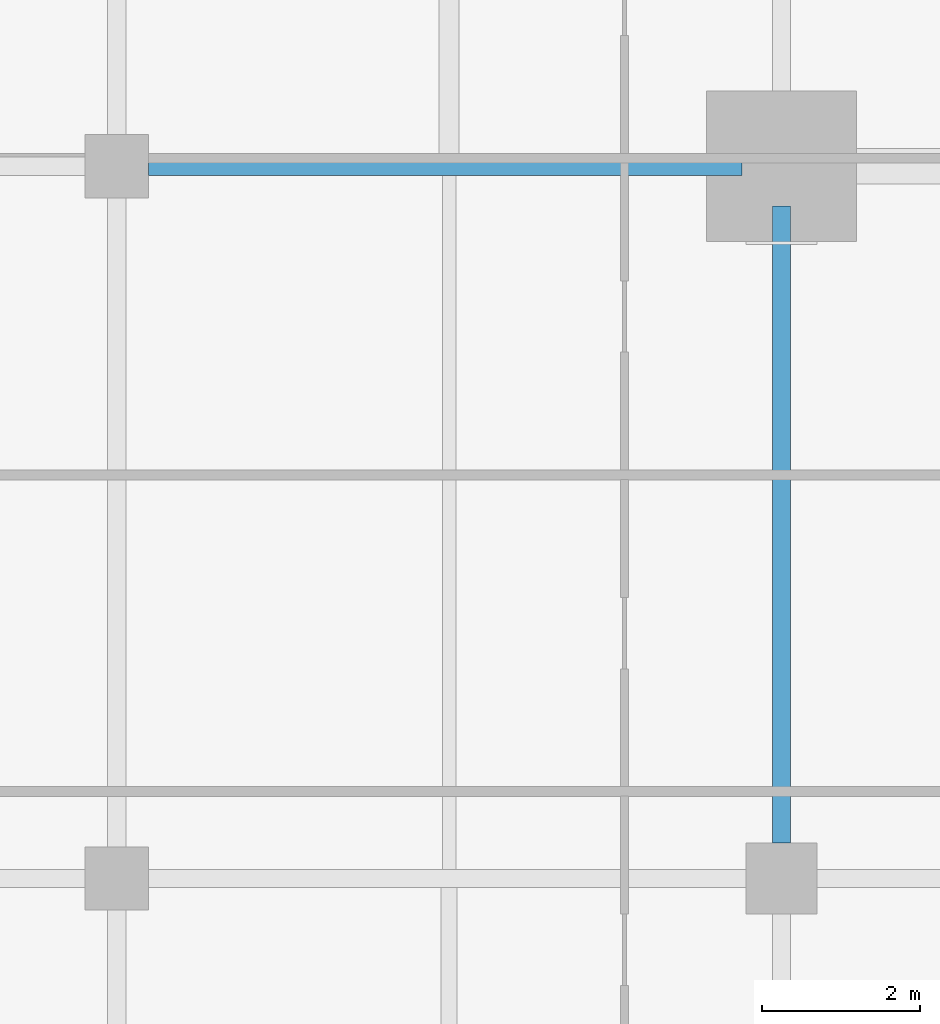
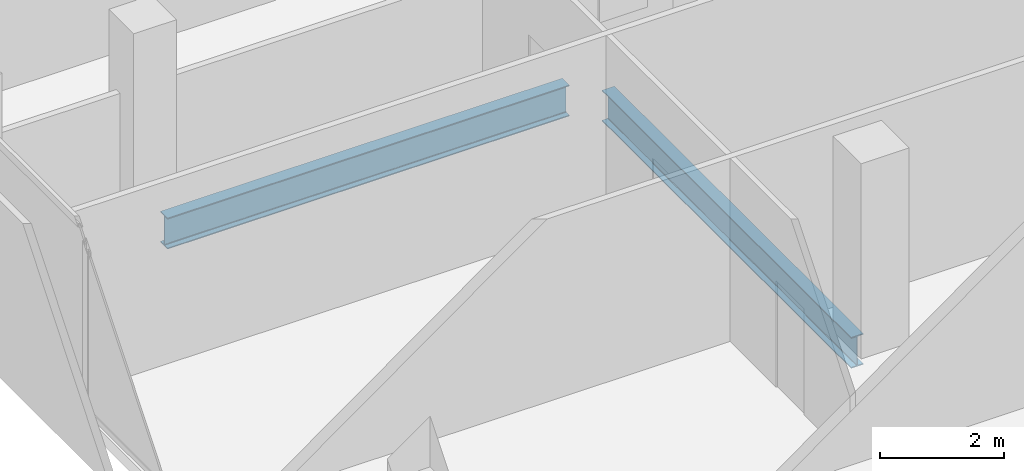
# One storey, part 9 of 34: 2 beams.
"""IFC4 building model written with IfcOpenShell, lengths in metres."""

from ifc_helpers import new_model, si_unit, direction, frame, origin, origin_2d, place, context, subcontext, project, spatial, i_section, extrude, material, material_profile, profile_set, type_object, element, save


model = new_model("IFC4")

# Units and contexts
model_context = context("Model", 3, precision=1e-05, world=origin(), true_north=direction((0.0, 1.0)))
body_context = subcontext(model_context, "Body", "Model", "MODEL_VIEW")
ifc_project = project(units=[si_unit("LENGTHUNIT", "METRE"), si_unit("AREAUNIT", "SQUARE_METRE"), si_unit("VOLUMEUNIT", "CUBIC_METRE"), si_unit("PLANEANGLEUNIT", "RADIAN"), si_unit("MASSUNIT", "GRAM", prefix="KILO")], contexts=[model_context])

# Site, building, storey
site_placement = place(None, origin())
site = spatial("IfcSite", under=ifc_project, at=site_placement, CompositionType="ELEMENT")
building_placement = place(site_placement, origin())
building = spatial("IfcBuilding", under=site, at=building_placement, Name="Maruvema Waterfront Hotel and Observation Tower", CompositionType="ELEMENT")
storey_placement = place(building_placement, frame((0.0, 0.0, 127.39990234375)))
storey = spatial("IfcBuildingStorey", under=building, at=storey_placement, Name="L30", CompositionType="ELEMENT", Elevation=127.39990234375)

# Beams
ifc_material = material(Name="Steel ASTM A572 Grade 50", Category="steel")
ifc_material_profile = material_profile(ifc_material, i_section(OverallWidth=0.22900390625, OverallDepth=0.612060546875, WebThickness=0.011962890625, FlangeThickness=0.01953125, FilletRadius=0.01806640625, at=origin_2d()), Name="W610x125.0")
ifc_profile_set = profile_set([ifc_material_profile], Name="Steel ASTM A572 Grade 50")
beam_type = type_object("IfcBeamType", Name="Primary Floor Girder W610x125.0", PredefinedType="BEAM", material=ifc_profile_set)
beam_1_placement = place(storey_placement, frame((17.199951171875, 27.0, -0.5458984375), z_axis=(1.0, 0.0, 0.0), x_axis=(0.0, 1.0, 0.0)))
element("IfcBeam", 1, at=beam_1_placement, inside=storey, type_object=beam_type, Name="L30 Floor Girder EW-19", PredefinedType="BEAM", context=body_context, shape_type="SweptSolid", body=[
    extrude(i_section(OverallWidth=0.22900390625, OverallDepth=0.612060546875, WebThickness=0.011962890625, FlangeThickness=0.01953125, FilletRadius=0.01806640625, at=origin_2d()), origin(), (0.0, 0.0, 1.0), 7.5),
])
beam_2_placement = place(storey_placement, frame((25.199951171875, 18.449951171875, -0.5458984375), z_axis=(0.0, 1.0, 0.0), x_axis=(-1.0, 0.0, 0.0)))
element("IfcBeam", 2, at=beam_2_placement, inside=storey, type_object=beam_type, Name="L30 Floor Girder NS-11", PredefinedType="BEAM", context=body_context, shape_type="SweptSolid", body=[
    extrude(i_section(OverallWidth=0.22900390625, OverallDepth=0.612060546875, WebThickness=0.011962890625, FlangeThickness=0.01953125, FilletRadius=0.01806640625, at=origin_2d()), origin(), (0.0, 0.0, 1.0), 8.050048828125),
])

save(model, "model.ifc")
